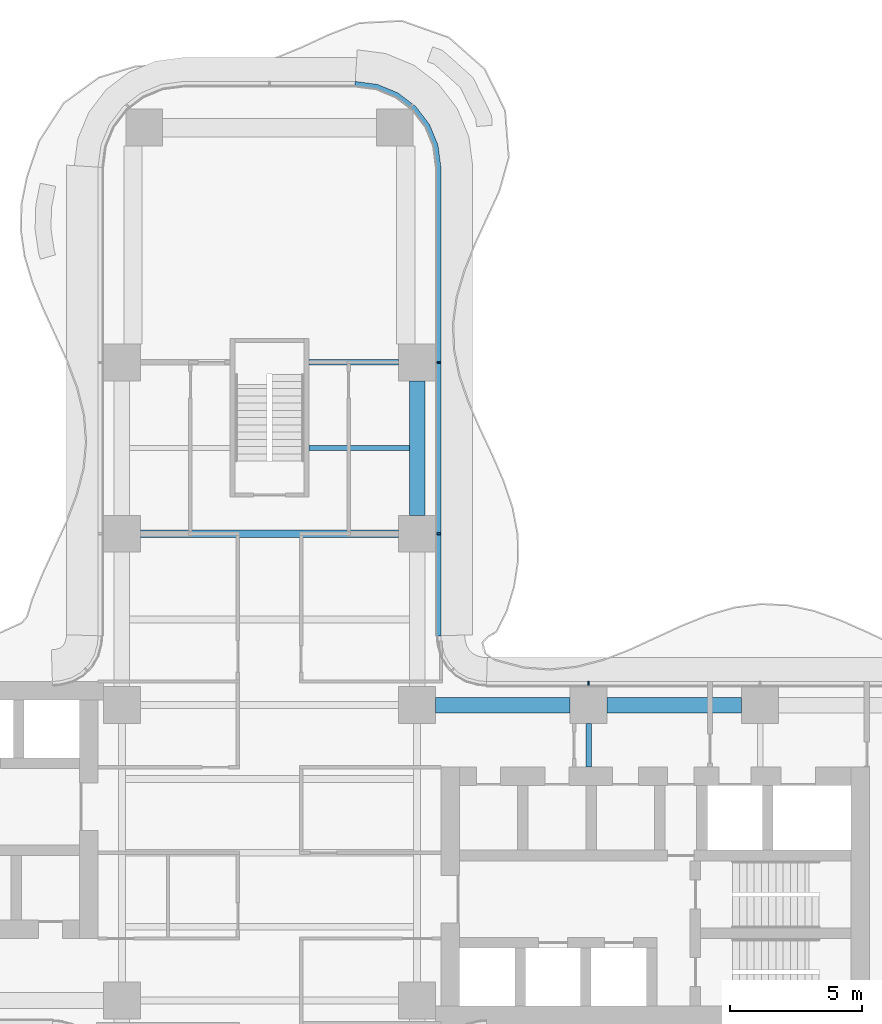
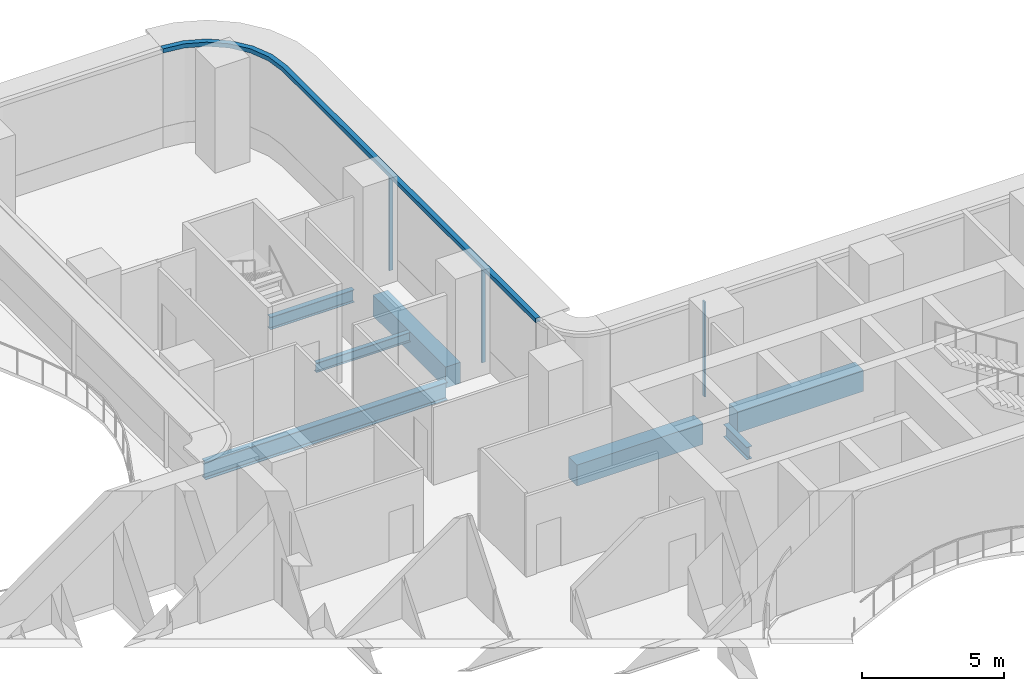
# One storey, part 10 of 22: 7 beams, 4 members, 2 elements without a shape of their own.
"""IFC4 building model written with IfcOpenShell, lengths in metres."""

import ifcopenshell
import ifcopenshell.guid

model = None  # the IFC model being written
_history = None  # IfcOwnerHistory: only IFC2X3 demands one
_inside = {}  # id of a spatial element -> (the spatial element, [elements in it])
_under = {}  # id of a project, library or spatial element -> (it, [spatial elements below it])
_declared = {}  # id of a project -> (the project, [libraries it declares])
_typed = {}  # id of a type object -> (the type object, [elements of that type])
_made_of = {}  # id of a material, layer set ... -> (it, [elements and type objects made of it])


def new_model(schema):
    """Start an empty IFC model of exactly this schema.

    Asked for "IFC4X3", IfcOpenShell would pick the latest addendum, in which some entities
    have other attributes; the version numbers below select the first issue.
    IFC2X3 requires an IfcOwnerHistory on every rooted entity: one is made here for all.
    """
    global model, _history
    if schema == "IFC4X3":
        model = ifcopenshell.file(schema_version=(4, 3, 0, 0))
    else:
        model = ifcopenshell.file(schema=schema)
    _inside.clear()
    _under.clear()
    _declared.clear()
    _typed.clear()
    _made_of.clear()
    _history = None
    if model.schema == "IFC2X3":
        org = make("IfcOrganization", Name="unknown")
        user = make(
            "IfcPersonAndOrganization",
            ThePerson=make("IfcPerson", FamilyName="unknown"),
            TheOrganization=org,
        )
        app = make(
            "IfcApplication",
            ApplicationDeveloper=org,
            Version="unknown",
            ApplicationFullName="unknown",
            ApplicationIdentifier="unknown",
        )
        _history = make(
            "IfcOwnerHistory",
            OwningUser=user,
            OwningApplication=app,
            ChangeAction="ADDED",
            CreationDate=0,
        )
    return model


def make(cls, **values):
    """One entity of the class cls with the attributes given. An attribute that is None is left unset."""
    return model.create_entity(
        cls, **{name: value for name, value in values.items() if value is not None}
    )


def rooted(cls, **values):
    """An entity with a GlobalId (a new one), such as an element, a storey or a relation."""
    return make(cls, GlobalId=ifcopenshell.guid.new(), OwnerHistory=_history, **values)


def si_unit(unit_type, name, prefix=None):
    """IfcSIUnit, for example si_unit("LENGTHUNIT", "METRE", prefix="MILLI")."""
    return make("IfcSIUnit", UnitType=unit_type, Prefix=prefix, Name=name)


def assignment(units):
    """IfcUnitAssignment: the units of a project."""
    return None if units is None else make("IfcUnitAssignment", Units=units)


def point(xyz):
    """IfcCartesianPoint."""
    return None if xyz is None else make("IfcCartesianPoint", Coordinates=xyz)


def direction(xyz):
    """IfcDirection."""
    return None if xyz is None else make("IfcDirection", DirectionRatios=xyz)


def frame(location, z_axis=None, x_axis=None):
    """IfcAxis2Placement3D, a coordinate frame: its origin and axes. An axis left out is left unset."""
    return make(
        "IfcAxis2Placement3D",
        Location=point(location),
        Axis=direction(z_axis),
        RefDirection=direction(x_axis),
    )


def frame_2d(location, x_axis=None):
    """IfcAxis2Placement2D, a coordinate frame in the plane: its origin and x axis."""
    return make(
        "IfcAxis2Placement2D", Location=point(location), RefDirection=direction(x_axis)
    )


def origin():
    """The frame at (0, 0, 0) with its axes left unset."""
    return frame((0.0, 0.0, 0.0))


def origin_2d():
    """The frame at (0, 0) in the plane with its x axis left unset."""
    return frame_2d((0.0, 0.0))


def place(relative_to, where):
    """IfcLocalPlacement: puts the frame where relative to a parent placement (None: the world)."""
    return make(
        "IfcLocalPlacement", PlacementRelTo=relative_to, RelativePlacement=where
    )


def context(
    kind, dimensions, precision=None, world=None, true_north=None, identifier=None
):
    """IfcGeometricRepresentationContext, for example the 3D "Model" context."""
    return make(
        "IfcGeometricRepresentationContext",
        ContextIdentifier=identifier,
        ContextType=kind,
        CoordinateSpaceDimension=dimensions,
        Precision=precision,
        WorldCoordinateSystem=world,
        TrueNorth=true_north,
    )


def subcontext(parent, identifier, kind, view, scale=None):
    """IfcGeometricRepresentationSubContext, for example "Body" below "Model"."""
    return make(
        "IfcGeometricRepresentationSubContext",
        ContextIdentifier=identifier,
        ContextType=kind,
        ParentContext=parent,
        TargetScale=scale,
        TargetView=view,
    )


def project(units=None, contexts=None):
    """IfcProject with its units and contexts."""
    return rooted(
        "IfcProject",
        Name="project",
        RepresentationContexts=contexts,
        UnitsInContext=assignment(units),
    )


def spatial(cls, under=None, at=None, **own):
    """A site, building, storey or space (cls), placed at a placement, below another one or the project."""
    s = rooted(cls, ObjectPlacement=at, **own)
    if under is not None:
        _under.setdefault(under.id(), (under, []))[1].append(s)
    return s


def polyline(points):
    """IfcPolyline through the points."""
    return make("IfcPolyline", Points=[point(p) for p in points])


def profile(cls, at=None, kind="AREA", **sizes):
    """A parametric profile (cls). Its sizes go by their IFC names, for example OverallWidth=200.0."""
    return make(cls, ProfileType=kind, Position=at, **sizes)


def rectangle(**sizes):
    """IfcRectangleProfileDef."""
    return profile("IfcRectangleProfileDef", **sizes)


def i_section(**sizes):
    """IfcIShapeProfileDef."""
    return profile("IfcIShapeProfileDef", **sizes)


def outline(outer, holes=None, kind="AREA"):
    """IfcArbitraryClosedProfileDef: a profile drawn as a closed curve; with holes, ...WithVoids."""
    if holes is None:
        return make("IfcArbitraryClosedProfileDef", ProfileType=kind, OuterCurve=outer)
    return make(
        "IfcArbitraryProfileDefWithVoids",
        ProfileType=kind,
        OuterCurve=outer,
        InnerCurves=holes,
    )


def extrude(swept, where, along, depth):
    """IfcExtrudedAreaSolid: the profile swept, set in the frame where, extruded along a direction by depth."""
    return make(
        "IfcExtrudedAreaSolid",
        SweptArea=swept,
        Position=where,
        ExtrudedDirection=direction(along),
        Depth=depth,
    )


def shape(context_of_items, identifier, shape_type, items):
    """IfcShapeRepresentation: the items that make up one representation, for example the "Body"."""
    return make(
        "IfcShapeRepresentation",
        ContextOfItems=context_of_items,
        RepresentationIdentifier=identifier,
        RepresentationType=shape_type,
        Items=items,
    )


def source(mapping_origin, context_of_items, identifier, shape_type, items):
    """IfcRepresentationMap: a shape defined once, which mapped items show again and again."""
    return make(
        "IfcRepresentationMap",
        MappingOrigin=mapping_origin,
        MappedRepresentation=shape(context_of_items, identifier, shape_type, items),
    )


def transform(
    local_origin,
    x_axis=None,
    y_axis=None,
    z_axis=None,
    scale=None,
    scale2=None,
    scale3=None,
    uniform=True,
):
    """IfcCartesianTransformationOperator3D, or its non-uniform kind. x_axis, y_axis, z_axis: its Axis1, 2, 3."""
    if uniform:
        return make(
            "IfcCartesianTransformationOperator3D",
            Axis1=direction(x_axis),
            Axis2=direction(y_axis),
            LocalOrigin=point(local_origin),
            Scale=scale,
            Axis3=direction(z_axis),
        )
    return make(
        "IfcCartesianTransformationOperator3DnonUniform",
        Axis1=direction(x_axis),
        Axis2=direction(y_axis),
        LocalOrigin=point(local_origin),
        Scale=scale,
        Axis3=direction(z_axis),
        Scale2=scale2,
        Scale3=scale3,
    )


def mapped(mapping_source, mapping_target):
    """IfcMappedItem: shows the shape of a source again, moved by a transform."""
    return make(
        "IfcMappedItem", MappingSource=mapping_source, MappingTarget=mapping_target
    )


def material(Name=None, Category=None):
    """IfcMaterial."""
    return make("IfcMaterial", Name=Name, Category=Category)


def layer(
    of_material, thickness, ventilated=None, Name=None, Category=None, Priority=None
):
    """IfcMaterialLayer: one layer of a wall or slab, of a material (None: an air gap)."""
    return make(
        "IfcMaterialLayer",
        Material=of_material,
        LayerThickness=thickness,
        IsVentilated=ventilated,
        Name=Name,
        Category=Category,
        Priority=Priority,
    )


def layer_set(layers, Name=None):
    """IfcMaterialLayerSet."""
    return make("IfcMaterialLayerSet", MaterialLayers=layers, LayerSetName=Name)


def material_profile(
    of_material, cross_section, Name=None, Category=None, Priority=None
):
    """IfcMaterialProfile: a cross section and its material."""
    return make(
        "IfcMaterialProfile",
        Name=Name,
        Material=of_material,
        Profile=cross_section,
        Priority=Priority,
        Category=Category,
    )


def profile_set(profiles, Name=None, composite=None):
    """IfcMaterialProfileSet."""
    return make(
        "IfcMaterialProfileSet",
        Name=Name,
        MaterialProfiles=profiles,
        CompositeProfile=composite,
    )


def made_of(thing, what):
    """Note that an element or type object is made of a material, layer set ...; save() writes the relation."""
    if what is not None:
        _made_of.setdefault(what.id(), (what, []))[1].append(thing)
    return thing


def type_object(cls, material=None, **own):
    """A type object (cls), such as IfcWallType, which elements share."""
    return made_of(rooted(cls, **own), material)


def element(
    cls,
    number,
    at=None,
    inside=None,
    cuts=None,
    type_object=None,
    material=None,
    context=None,
    identifier="Body",
    shape_type=None,
    held_by="IfcProductDefinitionShape",
    body=None,
    shapes=None,
    **own,
):
    """One element of the class cls, such as IfcWall. Its Tag is "e" and its number.

    at: its placement. inside: the storey or other place that contains it. cuts: it is an
    opening in that element (IfcRelVoidsElement). A single representation is given by context,
    identifier, shape_type and body (its items); several are given by shapes. held_by: the class
    of the entity that holds the representations. save() writes the other relations.
    """
    e = rooted(cls, Tag="e%d" % number, ObjectPlacement=at, **own)
    if body is not None:
        shapes = [shape(context, identifier, shape_type, body)]
    if shapes is not None:
        e.Representation = make(held_by, Representations=shapes)
    if inside is not None:
        _inside.setdefault(inside.id(), (inside, []))[1].append(e)
    if cuts is not None:
        rooted(
            "IfcRelVoidsElement", RelatingBuildingElement=cuts, RelatedOpeningElement=e
        )
    if type_object is not None:
        _typed.setdefault(type_object.id(), (type_object, []))[1].append(e)
    return made_of(e, material)


def aggregate(whole, parts):
    """IfcRelAggregates: a whole, such as a stair, and the parts it consists of."""
    return rooted("IfcRelAggregates", RelatingObject=whole, RelatedObjects=parts)


def save(model, path):
    """Write the relations noted so far, then the file.

    IfcRelAggregates (storeys below a building ...), IfcRelContainedInSpatialStructure (elements
    in a storey), IfcRelDefinesByType, IfcRelAssociatesMaterial and IfcRelDeclares: one each for
    every whole, place, type object, material and project.
    """
    for whole, parts in _under.values():
        aggregate(whole, parts)
    for where, things in _inside.values():
        rooted(
            "IfcRelContainedInSpatialStructure",
            RelatedElements=things,
            RelatingStructure=where,
        )
    for kind, things in _typed.values():
        rooted("IfcRelDefinesByType", RelatedObjects=things, RelatingType=kind)
    for what, things in _made_of.values():
        rooted("IfcRelAssociatesMaterial", RelatedObjects=things, RelatingMaterial=what)
    for by, libraries in _declared.values():
        rooted("IfcRelDeclares", RelatingContext=by, RelatedDefinitions=libraries)
    model.write(path)


model = new_model("IFC4")

# Units and contexts
model_context = context("Model", 3, precision=1e-05, world=origin(), true_north=direction((0.0, 1.0)))
body_context = subcontext(model_context, "Body", "Model", "MODEL_VIEW")
ifc_project = project(units=[si_unit("LENGTHUNIT", "METRE"), si_unit("AREAUNIT", "SQUARE_METRE"), si_unit("VOLUMEUNIT", "CUBIC_METRE"), si_unit("PLANEANGLEUNIT", "RADIAN"), si_unit("MASSUNIT", "GRAM", prefix="KILO")], contexts=[model_context])

# Site, building, storey
site_placement = place(None, origin())
site = spatial("IfcSite", under=ifc_project, at=site_placement, CompositionType="ELEMENT")
building_placement = place(site_placement, origin())
building = spatial("IfcBuilding", under=site, at=building_placement, Name="Trellis Farm Tower", CompositionType="ELEMENT")
storey_placement = place(building_placement, frame((0.0, 0.0, 38.5)))
storey = spatial("IfcBuildingStorey", under=building, at=storey_placement, Name="L07", CompositionType="ELEMENT", Elevation=38.5)

# Beams
ifc_material_1 = material(Name="Steel S355", Category="steel")
ifc_material_profile_1 = material_profile(ifc_material_1, i_section(OverallWidth=0.209228515625, OverallDepth=0.533203125, WebThickness=0.010009765625, FlangeThickness=0.015625, FilletRadius=0.0126953125, at=origin_2d()), Name="UB 533x210x92")
ifc_profile_set_1 = profile_set([ifc_material_profile_1], Name="Steel S355")
beam_type_1 = type_object("IfcBeamType", Name="UB 533x210x92", PredefinedType="BEAM", material=ifc_profile_set_1)
shared_shape_1 = source(origin(), body_context, "Body", "SweptSolid", [
    extrude(i_section(OverallWidth=0.209228515625, OverallDepth=0.533203125, WebThickness=0.010009765625, FlangeThickness=0.015625, FilletRadius=0.0126953125, at=origin_2d()), origin(), (0.0, 0.0, 1.0), 3.39990234375),
])
beam_1_placement = place(storey_placement, frame((1.5, 18.60009765625, -0.5166015625), z_axis=(1.0, 0.0, 0.0), x_axis=(0.0, 1.0, 0.0)))
element("IfcBeam", 1, at=beam_1_placement, inside=storey, type_object=beam_type_1, Name="Girder", PredefinedType="BEAM", context=body_context, shape_type="MappedRepresentation", body=[
    mapped(shared_shape_1, transform((0.0, 0.0, 0.0))),
])
ifc_material_2 = material(Name="Concrete C60/75", Category="concrete")
ifc_material_profile_2 = material_profile(ifc_material_2, rectangle(XDim=0.60009765625, YDim=0.89990234375, at=origin_2d()), Name="RC spandrel beam 600x900 C60/75")
ifc_profile_set_2 = profile_set([ifc_material_profile_2], Name="Concrete C60/75")
beam_type_2 = type_object("IfcBeamType", Name="RC spandrel beam 600x900 C60/75", PredefinedType="SPANDREL", material=ifc_profile_set_2)
shared_shape_2 = source(origin(), body_context, "Body", "SweptSolid", [
    extrude(rectangle(XDim=0.60009765625, YDim=0.89990234375, at=origin_2d()), origin(), (0.0, 0.0, 1.0), 5.099853515625),
])
for number, where, z_axis, x_axis, name in (
    (2, (6.300048828125, 5.60009765625, -0.699951171875), (1.0, 0.0, 0.0), (0.0, 1.0, 0.0), "Girder"),
    (3, (12.800048828125, 5.60009765625, -0.699951171875), (1.0, 0.0, 0.0), (0.0, 1.0, 0.0), "Girder"),
    (4, (5.60009765625, 12.800048828125, -0.699951171875), (0.0, 1.0, 0.0), (-1.0, 0.0, 0.0), "Girder"),
):
    element("IfcBeam", number, at=place(storey_placement, frame(where, z_axis=z_axis, x_axis=x_axis)), inside=storey, type_object=beam_type_2, Name=name, PredefinedType="SPANDREL", context=body_context, shape_type="MappedRepresentation", body=[
        mapped(shared_shape_2, transform((0.0, 0.0, 0.0))),
    ])
ifc_material_profile_3 = material_profile(ifc_material_1, i_section(OverallWidth=0.2666015625, OverallDepth=0.76220703125, WebThickness=0.014404296875, FlangeThickness=0.021484375, FilletRadius=0.0166015625, at=origin_2d()), Name="UB 762x267x173")
ifc_profile_set_3 = profile_set([ifc_material_profile_3], Name="Steel S355")
beam_type_3 = type_object("IfcBeamType", Name="UB 762x267x173", PredefinedType="BEAM", material=ifc_profile_set_3)
shared_shape_3 = source(origin(), body_context, "Body", "SweptSolid", [
    extrude(i_section(OverallWidth=0.2666015625, OverallDepth=0.76220703125, WebThickness=0.014404296875, FlangeThickness=0.021484375, FilletRadius=0.0166015625, at=origin_2d()), origin(), (0.0, 0.0, 1.0), 9.7998046875),
])
beam_2_placement = place(storey_placement, frame((-4.89990234375, 12.10009765625, -0.631103515625), z_axis=(1.0, 0.0, 0.0), x_axis=(0.0, 1.0, 0.0)))
element("IfcBeam", 5, at=beam_2_placement, inside=storey, type_object=beam_type_3, Name="Girder", PredefinedType="BEAM", context=body_context, shape_type="MappedRepresentation", body=[
    mapped(shared_shape_3, transform((0.0, 0.0, 0.0))),
])
shared_shape_4 = source(origin(), body_context, "Body", "SweptSolid", [
    extrude(i_section(OverallWidth=0.209228515625, OverallDepth=0.533203125, WebThickness=0.010009765625, FlangeThickness=0.015625, FilletRadius=0.0126953125, at=origin_2d()), origin(), (0.0, 0.0, 1.0), 1.64990234375),
])
beam_3_placement = place(storey_placement, frame((12.10009765625, 3.25, -0.5166015625), z_axis=(0.0, 1.0, 0.0), x_axis=(-1.0, 0.0, 0.0)))
element("IfcBeam", 6, at=beam_3_placement, inside=storey, type_object=beam_type_1, Name="Girder", PredefinedType="BEAM", context=body_context, shape_type="MappedRepresentation", body=[
    mapped(shared_shape_4, transform((0.0, 0.0, 0.0))),
])
ifc_material_profile_4 = material_profile(ifc_material_1, i_section(OverallWidth=0.177978515625, OverallDepth=0.406494140625, WebThickness=0.0078125, FlangeThickness=0.0126953125, FilletRadius=0.01025390625, at=origin_2d()), Name="UB 406x178x60")
ifc_profile_set_4 = profile_set([ifc_material_profile_4], Name="Steel S355")
beam_type_4 = type_object("IfcBeamType", Name="UB 406x178x60 joist", PredefinedType="JOIST", material=ifc_profile_set_4)
shared_shape_5 = source(origin(), body_context, "Body", "SweptSolid", [
    extrude(i_section(OverallWidth=0.177978515625, OverallDepth=0.406494140625, WebThickness=0.0078125, FlangeThickness=0.0126953125, FilletRadius=0.01025390625, at=origin_2d()), origin(), (0.0, 0.0, 1.0), 3.800048828125),
])
beam_4_placement = place(storey_placement, frame((1.5, 15.35009765625, -0.453125), z_axis=(1.0, 0.0, 0.0), x_axis=(0.0, 1.0, 0.0)))
element("IfcBeam", 7, at=beam_4_placement, inside=storey, type_object=beam_type_4, Name="Floor beam", PredefinedType="JOIST", context=body_context, shape_type="MappedRepresentation", body=[
    mapped(shared_shape_5, transform((0.0, 0.0, 0.0))),
])

# Curtain wall, member
ifc_material_3 = material(Name="Aluminium and glass curtain wall", Category="aluminium")
ifc_layer_1 = layer(ifc_material_3, 0.18994140625)
ifc_layer_set_1 = layer_set([ifc_layer_1], Name="RIBBON CURTAIN WALL CW1")
curtain_wall_type = type_object("IfcCurtainWallType", Name="RIBBON CURTAIN WALL CW1", PredefinedType="NOTDEFINED", material=ifc_layer_set_1)
placement = place(storey_placement, origin())
curtain_wall_1 = element("IfcCurtainWall", 8, at=placement, inside=storey, type_object=curtain_wall_type, Name="CW1 008", PredefinedType="NOTDEFINED")
ifc_material_4 = material(Name="Aluminium extrusion 6063-T6", Category="aluminium")
ifc_material_profile_5 = material_profile(ifc_material_4, rectangle(XDim=0.06005859375, YDim=0.14990234375, at=origin_2d()), Name="MULLION 60x150")
ifc_profile_set_5 = profile_set([ifc_material_profile_5], Name="Aluminium extrusion 6063-T6")
member_type_1 = type_object("IfcMemberType", Name="CW1 MULLION 60x150", PredefinedType="MULLION", material=ifc_profile_set_5)
shared_shape_6 = source(origin(), body_context, "Body", "SweptSolid", [
    extrude(rectangle(XDim=0.06005859375, YDim=0.14990234375, at=origin_2d()), origin(), (0.0, 0.0, 1.0), 4.070068359375),
])
member_1_placement = place(storey_placement, frame((12.10009765625, 6.425048828125, 0.0), z_axis=(0.0, 0.0, 1.0), x_axis=(-1.0, 0.0, 0.0)))
member_1 = element("IfcMember", 9, at=member_1_placement, type_object=member_type_1, Name="MU1 008-03", PredefinedType="MULLION", context=body_context, shape_type="MappedRepresentation", body=[
    mapped(shared_shape_6, transform((0.0, 0.0, 0.0))),
])
aggregate(curtain_wall_1, [member_1])

# Curtain wall, members
curtain_wall_2 = element("IfcCurtainWall", 10, at=placement, inside=storey, type_object=curtain_wall_type, Name="CW1 009", PredefinedType="NOTDEFINED")
member_2_placement = place(storey_placement, frame((6.425048828125, 12.10009765625, 0.0), z_axis=(0.0, 0.0, 1.0), x_axis=(0.0, 1.0, 0.0)))
member_2 = element("IfcMember", 11, at=member_2_placement, type_object=member_type_1, Name="MU1 009-01", PredefinedType="MULLION", context=body_context, shape_type="MappedRepresentation", body=[
    mapped(shared_shape_6, transform((0.0, 0.0, 0.0))),
])
member_3_placement = place(storey_placement, frame((6.425048828125, 18.60009765625, 0.0), z_axis=(0.0, 0.0, 1.0), x_axis=(0.0, 1.0, 0.0)))
member_3 = element("IfcMember", 12, at=member_3_placement, type_object=member_type_1, Name="MU1 009-02", PredefinedType="MULLION", context=body_context, shape_type="MappedRepresentation", body=[
    mapped(shared_shape_6, transform((0.0, 0.0, 0.0))),
])
ifc_layer_2 = layer(ifc_material_4, 0.199951171875)
ifc_layer_set_2 = layer_set([ifc_layer_2], Name="Aluminium extrusion 6063-T6")
member_type_2 = type_object("IfcMemberType", Name="CW1 TRANSOM 200x180", PredefinedType="USERDEFINED", material=ifc_layer_set_2)
shared_shape_7 = source(origin(), body_context, "Body", "SweptSolid", [
    extrude(outline(polyline([(6.5, 8.2314453125), (6.5, 26.0), (6.38916015625, 26.841064453125), (6.064697265625, 27.625), (5.548095703125, 28.298095703125), (4.875, 28.814697265625), (4.091064453125, 29.13916015625), (3.25, 29.25), (3.23681640625, 29.050048828125), (4.0390625, 28.9443359375), (4.774169921875, 28.639892578125), (5.405517578125, 28.155517578125), (5.889892578125, 27.524169921875), (6.1943359375, 26.7890625), (6.300048828125, 25.98681640625), (6.300048828125, 8.224853515625), (6.5, 8.2314453125)])), origin(), (0.0, 0.0, 1.0), 0.179931640625),
])
member_4_placement = place(storey_placement, frame((0.0, 0.0, 4.070068359375)))
member_4 = element("IfcMember", 13, at=member_4_placement, type_object=member_type_2, Name="TR1 009", ObjectType="TRANSOM", PredefinedType="USERDEFINED", context=body_context, shape_type="MappedRepresentation", body=[
    mapped(shared_shape_7, transform((0.0, 0.0, 0.0))),
])
aggregate(curtain_wall_2, [member_2, member_3, member_4])

save(model, "model.ifc")
